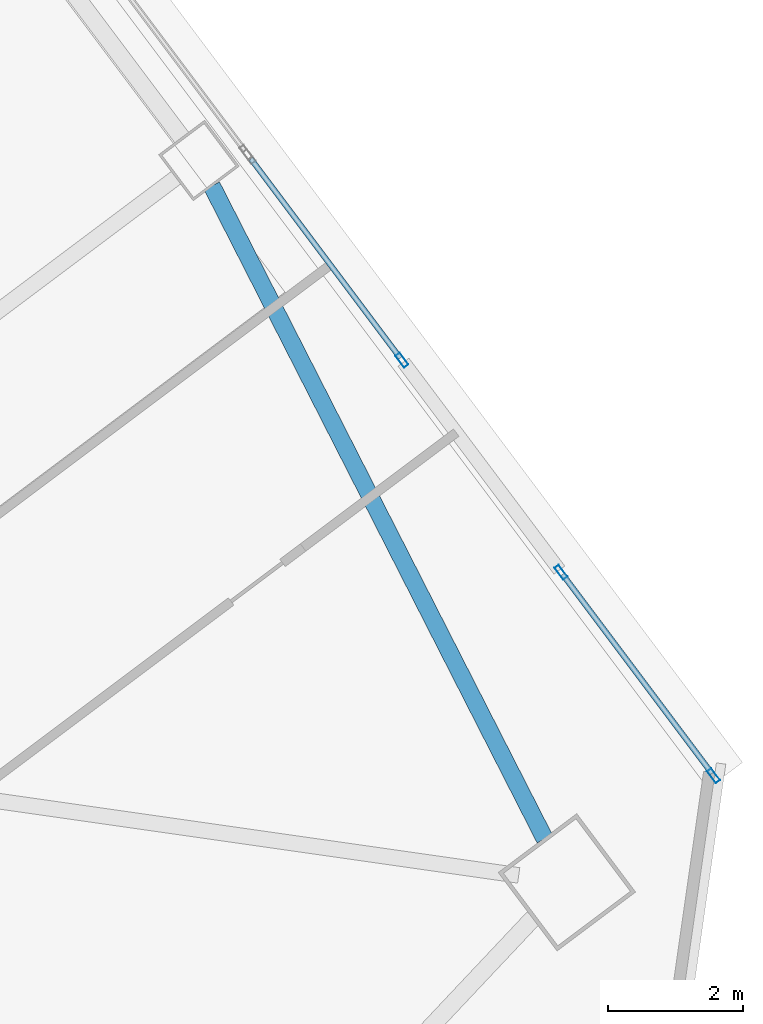
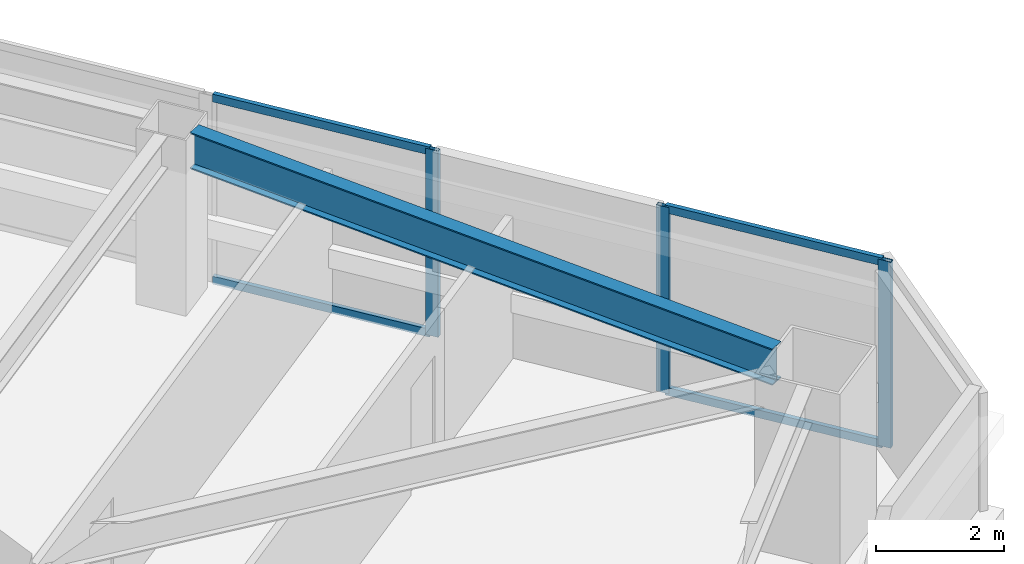
# One storey, part 29 of 48: 7 members, 1 beam, 2 elements without a shape of their own.
"""IFC4 building model written with IfcOpenShell, lengths in metres."""

from ifc_helpers import new_model, si_unit, direction, frame, origin, origin_2d, place, context, subcontext, project, spatial, hollow_rectangle, i_section, extrude, material, material_profile, profile_set, type_object, element, aggregate, save


model = new_model("IFC4")

# Units and contexts
model_context = context("Model", 3, precision=1e-05, world=origin(), true_north=direction((0.0, 1.0)))
body_context = subcontext(model_context, "Body", "Model", "MODEL_VIEW")
ifc_project = project(units=[si_unit("LENGTHUNIT", "METRE"), si_unit("AREAUNIT", "SQUARE_METRE"), si_unit("VOLUMEUNIT", "CUBIC_METRE"), si_unit("PLANEANGLEUNIT", "RADIAN"), si_unit("MASSUNIT", "GRAM", prefix="KILO")], contexts=[model_context])

# Site, building, storey
site_placement = place(None, origin())
site = spatial("IfcSite", under=ifc_project, at=site_placement, CompositionType="ELEMENT")
building_placement = place(site_placement, origin())
building = spatial("IfcBuilding", under=site, at=building_placement, Name="Tashvorn Skyway Center", CompositionType="ELEMENT")
storey_placement = place(building_placement, frame((0.0, 0.0, 77.85009765625)))
storey = spatial("IfcBuildingStorey", under=building, at=storey_placement, Name="L20", CompositionType="ELEMENT", Elevation=77.85009765625)

# Beam
ifc_material_1 = material(Name="Steel ASTM A992 Grade 50", Category="steel")
ifc_material_profile_1 = material_profile(ifc_material_1, i_section(OverallWidth=0.256103515625, OverallDepth=0.693115234375, WebThickness=0.014404296875, FlangeThickness=0.023681640625, at=origin_2d()), Name="W27X114")
ifc_profile_set_1 = profile_set([ifc_material_profile_1], Name="Steel ASTM A992 Grade 50")
beam_type = type_object("IfcBeamType", Name="BM-SPANDREL-W27X114", PredefinedType="SPANDREL", material=ifc_profile_set_1)
beam_placement = place(storey_placement, frame((137.7529296875, 29.201416015625, 3.00341796875), z_axis=(-0.454210938961, 0.890894170442, 0.0), x_axis=(-0.890894170442, -0.454210938961, 0.0)))
element("IfcBeam", 1, at=beam_placement, inside=storey, type_object=beam_type, Name="Tower 2 L20 Spandrel Beam 04", PredefinedType="SPANDREL", context=body_context, shape_type="SweptSolid", body=[
    extrude(i_section(OverallWidth=0.256103515625, OverallDepth=0.693115234375, WebThickness=0.014404296875, FlangeThickness=0.023681640625, at=origin_2d()), origin(), (0.0, 0.0, 1.0), 10.836669921875),
])

# Curtain wall, member
ifc_material_2 = material(Name="Thermally broken bronze-anodized aluminium 6063-T6", Category="aluminium")
curtain_wall_type = type_object("IfcCurtainWallType", Name="CW-CW-Z2", PredefinedType="NOTDEFINED", material=ifc_material_2)
curtain_wall_1_placement = place(storey_placement, origin())
curtain_wall_1 = element("IfcCurtainWall", 2, at=curtain_wall_1_placement, inside=storey, type_object=curtain_wall_type, Name="Tower 2 L20 East Unitised Curtain Wall Glazing Group 4", PredefinedType="NOTDEFINED")
ifc_material_profile_2 = material_profile(ifc_material_2, hollow_rectangle(XDim=0.080078125, YDim=0.219970703125, WallThickness=0.0048828125, at=origin_2d()), Name="ALU-MULL-80x220")
ifc_profile_set_2 = profile_set([ifc_material_profile_2], Name="Thermally broken bronze-anodized aluminium 6063-T6")
member_type_1 = type_object("IfcMemberType", Name="CWM-CW-Z2", PredefinedType="MULLION", material=ifc_profile_set_2)
member_1_placement = place(storey_placement, frame((135.639892578125, 36.280029296875, 0.0), z_axis=(0.0, 0.0, 1.0), x_axis=(0.799999999998, 0.600000000002, 0.0)))
member_1 = element("IfcMember", 3, at=member_1_placement, type_object=member_type_1, Name="CW-Z2 mullion 2", PredefinedType="MULLION", context=body_context, shape_type="SweptSolid", body=[
    extrude(hollow_rectangle(XDim=0.080078125, YDim=0.219970703125, WallThickness=0.0048828125, at=origin_2d()), origin(), (0.0, 0.0, 1.0), 3.5498046875),
])

# Curtain wall, members
curtain_wall_2_placement = place(storey_placement, origin())
curtain_wall_2 = element("IfcCurtainWall", 4, at=curtain_wall_2_placement, inside=storey, type_object=curtain_wall_type, Name="Tower 2 L20 East Unitised Curtain Wall Glazing Group 5", PredefinedType="NOTDEFINED")
member_2_placement = place(storey_placement, frame((137.991943359375, 33.14404296875, 0.0), z_axis=(0.0, 0.0, 1.0), x_axis=(0.799999999998, 0.600000000002, 0.0)))
member_2 = element("IfcMember", 5, at=member_2_placement, type_object=member_type_1, Name="CW-Z2 mullion 1", PredefinedType="MULLION", context=body_context, shape_type="SweptSolid", body=[
    extrude(hollow_rectangle(XDim=0.080078125, YDim=0.219970703125, WallThickness=0.0048828125, at=origin_2d()), origin(), (0.0, 0.0, 1.0), 3.5498046875),
])
member_3_placement = place(storey_placement, frame((140.248046875, 30.135986328125, 0.0), z_axis=(0.0, 0.0, 1.0), x_axis=(0.799999999998, 0.600000000002, 0.0)))
member_3 = element("IfcMember", 6, at=member_3_placement, type_object=member_type_1, Name="CW-Z2 mullion 2", PredefinedType="MULLION", context=body_context, shape_type="SweptSolid", body=[
    extrude(hollow_rectangle(XDim=0.080078125, YDim=0.219970703125, WallThickness=0.0048828125, at=origin_2d()), origin(), (0.0, 0.0, 1.0), 3.5498046875),
])

# Member
ifc_material_profile_3 = material_profile(ifc_material_2, hollow_rectangle(XDim=0.080078125, YDim=0.14990234375, WallThickness=0.00439453125, at=origin_2d()), Name="ALU-TRAN-80x150")
ifc_profile_set_3 = profile_set([ifc_material_profile_3], Name="Thermally broken bronze-anodized aluminium 6063-T6")
member_type_2 = type_object("IfcMemberType", Name="CWT-CW-Z2", PredefinedType="USERDEFINED", material=ifc_profile_set_3)
member_4_placement = place(storey_placement, frame((133.407958984375, 39.256103515625, 0.039794921875), z_axis=(0.599989385363, -0.800007960868, 0.0), x_axis=(0.800007960868, 0.599989385363, 0.0)))
member_4 = element("IfcMember", 7, at=member_4_placement, type_object=member_type_2, Name="CW-Z2 transom 1.1", ObjectType="TRANSOM", PredefinedType="USERDEFINED", context=body_context, shape_type="SweptSolid", body=[
    extrude(hollow_rectangle(XDim=0.080078125, YDim=0.14990234375, WallThickness=0.00439453125, at=origin_2d()), origin(), (0.0, 0.0, 1.0), 3.68017578125),
])

member_5_placement = place(storey_placement, frame((133.407958984375, 39.256103515625, 3.510009765625), z_axis=(0.599989385363, -0.800007960868, 0.0), x_axis=(0.800007960868, 0.599989385363, 0.0)))
member_5 = element("IfcMember", 8, at=member_5_placement, type_object=member_type_2, Name="CW-Z2 transom 1.2", ObjectType="TRANSOM", PredefinedType="USERDEFINED", context=body_context, shape_type="SweptSolid", body=[
    extrude(hollow_rectangle(XDim=0.080078125, YDim=0.14990234375, WallThickness=0.00439453125, at=origin_2d()), origin(), (0.0, 0.0, 1.0), 3.68017578125),
])

aggregate(curtain_wall_1, [member_1, member_4, member_5])

member_6_placement = place(storey_placement, frame((138.01611328125, 33.112060546875, 0.039794921875), z_axis=(0.599989385363, -0.800007960868, 0.0), x_axis=(0.800007960868, 0.599989385363, 0.0)))
member_6 = element("IfcMember", 9, at=member_6_placement, type_object=member_type_2, Name="CW-Z2 transom 1.1", ObjectType="TRANSOM", PredefinedType="USERDEFINED", context=body_context, shape_type="SweptSolid", body=[
    extrude(hollow_rectangle(XDim=0.080078125, YDim=0.14990234375, WallThickness=0.00439453125, at=origin_2d()), origin(), (0.0, 0.0, 1.0), 3.68017578125),
])

member_7_placement = place(storey_placement, frame((138.01611328125, 33.112060546875, 3.510009765625), z_axis=(0.599989385363, -0.800007960868, 0.0), x_axis=(0.800007960868, 0.599989385363, 0.0)))
member_7 = element("IfcMember", 10, at=member_7_placement, type_object=member_type_2, Name="CW-Z2 transom 1.2", ObjectType="TRANSOM", PredefinedType="USERDEFINED", context=body_context, shape_type="SweptSolid", body=[
    extrude(hollow_rectangle(XDim=0.080078125, YDim=0.14990234375, WallThickness=0.00439453125, at=origin_2d()), origin(), (0.0, 0.0, 1.0), 3.68017578125),
])

aggregate(curtain_wall_2, [member_2, member_3, member_6, member_7])

save(model, "model.ifc")
